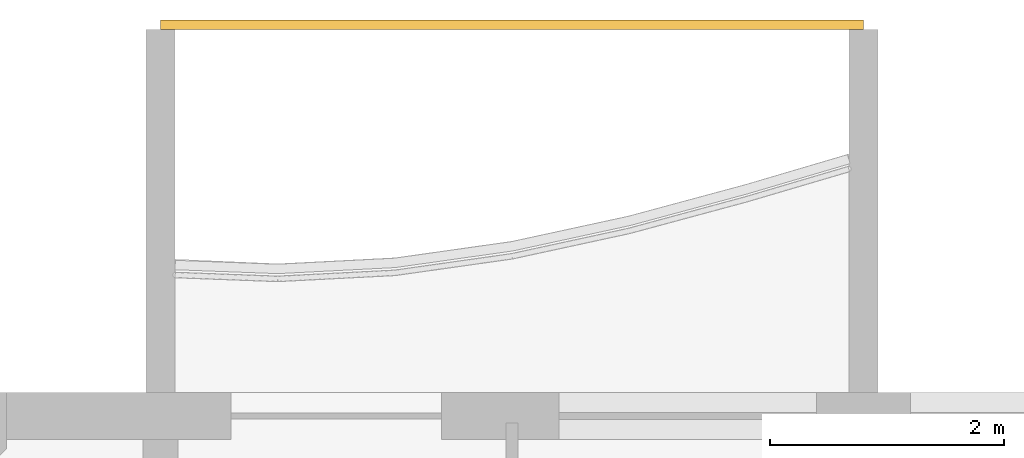
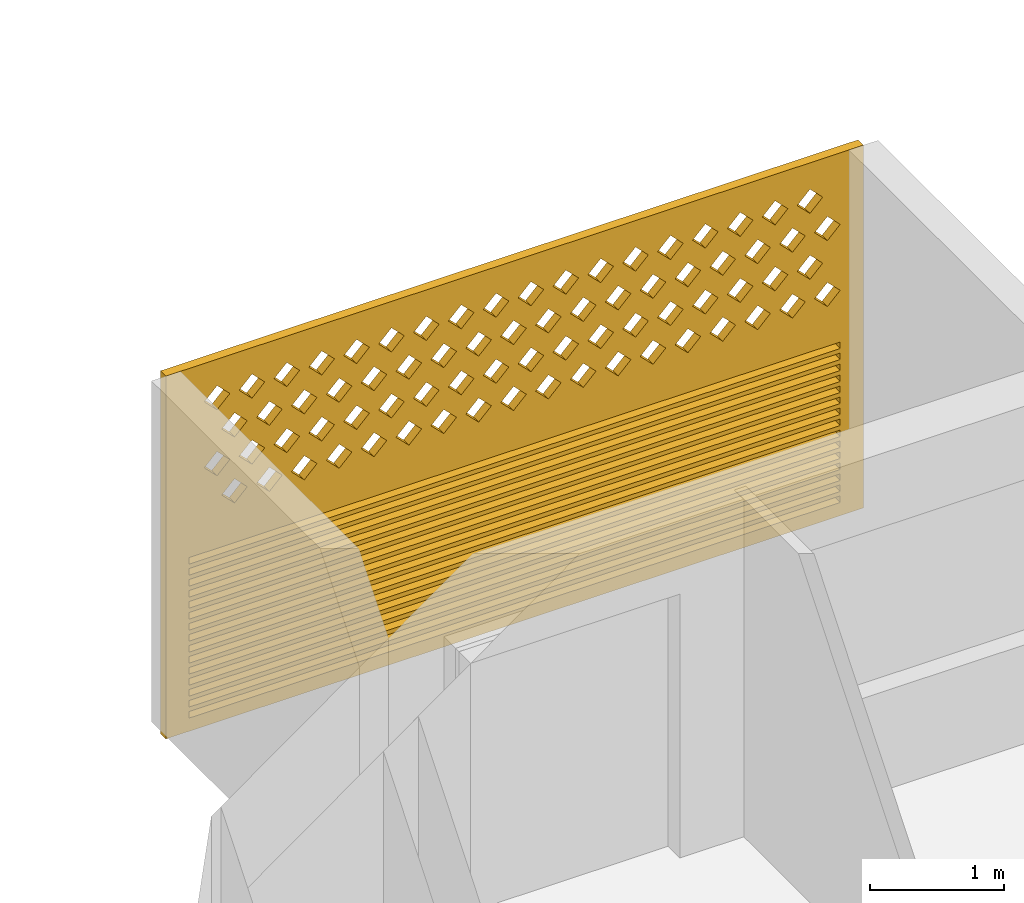
# One storey, part 19 of 33: 1 covering.
"""IFC4 building model written with IfcOpenShell, lengths in metres."""

from ifc_helpers import new_model, si_unit, direction, frame, origin, place, context, subcontext, project, spatial, polyline, outline, extrude, source, transform, mapped, material, material_profile, profile_set, type_object, element, save


model = new_model("IFC4")

# Units and contexts
model_context = context("Model", 3, precision=1e-05, world=origin(), true_north=direction((0.0, 1.0)))
body_context = subcontext(model_context, "Body", "Model", "MODEL_VIEW")
ifc_project = project(units=[si_unit("LENGTHUNIT", "METRE"), si_unit("AREAUNIT", "SQUARE_METRE"), si_unit("VOLUMEUNIT", "CUBIC_METRE"), si_unit("PLANEANGLEUNIT", "RADIAN"), si_unit("MASSUNIT", "GRAM", prefix="KILO")], contexts=[model_context])

# Site, building, storey
site_placement = place(None, origin())
site = spatial("IfcSite", under=ifc_project, at=site_placement, CompositionType="ELEMENT")
building_placement = place(site_placement, origin())
building = spatial("IfcBuilding", under=site, at=building_placement, Name="Poui Terraces", CompositionType="ELEMENT")
storey_placement = place(building_placement, frame((0.0, 0.0, 135.60009765625)))
storey = spatial("IfcBuildingStorey", under=building, at=storey_placement, Name="L37", CompositionType="ELEMENT", Elevation=135.60009765625)

# Covering
ifc_material = material(Name="Terracotta screen", Category="masonry")
ifc_material_profile = material_profile(ifc_material, outline(polyline([(-3.0, -1.64990234375), (3.0, -1.64990234375), (3.0, 1.64990234375), (-3.0, 1.64990234375), (-3.0, -1.64990234375)]), holes=[polyline([(-2.800048828125, 0.39990234375), (-2.68994140625, 0.2900390625), (-2.580078125, 0.39990234375), (-2.68994140625, 0.510009765625), (-2.800048828125, 0.39990234375)]), polyline([(-2.5, 0.39990234375), (-2.389892578125, 0.2900390625), (-2.280029296875, 0.39990234375), (-2.389892578125, 0.510009765625), (-2.5, 0.39990234375)]), polyline([(-2.199951171875, 0.39990234375), (-2.090087890625, 0.2900390625), (-1.97998046875, 0.39990234375), (-2.090087890625, 0.510009765625), (-2.199951171875, 0.39990234375)]), polyline([(-1.89990234375, 0.39990234375), (-1.7900390625, 0.2900390625), (-1.679931640625, 0.39990234375), (-1.7900390625, 0.510009765625), (-1.89990234375, 0.39990234375)]), polyline([(-1.60009765625, 0.39990234375), (-1.489990234375, 0.2900390625), (-1.3798828125, 0.39990234375), (-1.489990234375, 0.510009765625), (-1.60009765625, 0.39990234375)]), polyline([(-1.300048828125, 0.39990234375), (-1.18994140625, 0.2900390625), (-1.080078125, 0.39990234375), (-1.18994140625, 0.510009765625), (-1.300048828125, 0.39990234375)]), polyline([(-1.0, 0.39990234375), (-0.889892578125, 0.2900390625), (-0.780029296875, 0.39990234375), (-0.889892578125, 0.510009765625), (-1.0, 0.39990234375)]), polyline([(-0.699951171875, 0.39990234375), (-0.590087890625, 0.2900390625), (-0.47998046875, 0.39990234375), (-0.590087890625, 0.510009765625), (-0.699951171875, 0.39990234375)]), polyline([(-0.39990234375, 0.39990234375), (-0.2900390625, 0.2900390625), (-0.179931640625, 0.39990234375), (-0.2900390625, 0.510009765625), (-0.39990234375, 0.39990234375)]), polyline([(-0.10009765625, 0.39990234375), (0.010009765625, 0.2900390625), (0.1201171875, 0.39990234375), (0.010009765625, 0.510009765625), (-0.10009765625, 0.39990234375)]), polyline([(0.199951171875, 0.39990234375), (0.31005859375, 0.2900390625), (0.419921875, 0.39990234375), (0.31005859375, 0.510009765625), (0.199951171875, 0.39990234375)]), polyline([(0.5, 0.39990234375), (0.610107421875, 0.2900390625), (0.719970703125, 0.39990234375), (0.610107421875, 0.510009765625), (0.5, 0.39990234375)]), polyline([(0.800048828125, 0.39990234375), (0.909912109375, 0.2900390625), (1.02001953125, 0.39990234375), (0.909912109375, 0.510009765625), (0.800048828125, 0.39990234375)]), polyline([(1.10009765625, 0.39990234375), (1.2099609375, 0.2900390625), (1.320068359375, 0.39990234375), (1.2099609375, 0.510009765625), (1.10009765625, 0.39990234375)]), polyline([(1.39990234375, 0.39990234375), (1.510009765625, 0.2900390625), (1.6201171875, 0.39990234375), (1.510009765625, 0.510009765625), (1.39990234375, 0.39990234375)]), polyline([(1.699951171875, 0.39990234375), (1.81005859375, 0.2900390625), (1.919921875, 0.39990234375), (1.81005859375, 0.510009765625), (1.699951171875, 0.39990234375)]), polyline([(2.0, 0.39990234375), (2.110107421875, 0.2900390625), (2.219970703125, 0.39990234375), (2.110107421875, 0.510009765625), (2.0, 0.39990234375)]), polyline([(2.300048828125, 0.39990234375), (2.409912109375, 0.2900390625), (2.52001953125, 0.39990234375), (2.409912109375, 0.510009765625), (2.300048828125, 0.39990234375)]), polyline([(-2.64990234375, 0.699951171875), (-2.5400390625, 0.590087890625), (-2.429931640625, 0.699951171875), (-2.5400390625, 0.81005859375), (-2.64990234375, 0.699951171875)]), polyline([(-2.35009765625, 0.699951171875), (-2.239990234375, 0.590087890625), (-2.1298828125, 0.699951171875), (-2.239990234375, 0.81005859375), (-2.35009765625, 0.699951171875)]), polyline([(-2.050048828125, 0.699951171875), (-1.93994140625, 0.590087890625), (-1.830078125, 0.699951171875), (-1.93994140625, 0.81005859375), (-2.050048828125, 0.699951171875)]), polyline([(-1.75, 0.699951171875), (-1.639892578125, 0.590087890625), (-1.530029296875, 0.699951171875), (-1.639892578125, 0.81005859375), (-1.75, 0.699951171875)]), polyline([(-1.449951171875, 0.699951171875), (-1.340087890625, 0.590087890625), (-1.22998046875, 0.699951171875), (-1.340087890625, 0.81005859375), (-1.449951171875, 0.699951171875)]), polyline([(-1.14990234375, 0.699951171875), (-1.0400390625, 0.590087890625), (-0.929931640625, 0.699951171875), (-1.0400390625, 0.81005859375), (-1.14990234375, 0.699951171875)]), polyline([(-0.85009765625, 0.699951171875), (-0.739990234375, 0.590087890625), (-0.6298828125, 0.699951171875), (-0.739990234375, 0.81005859375), (-0.85009765625, 0.699951171875)]), polyline([(-0.550048828125, 0.699951171875), (-0.43994140625, 0.590087890625), (-0.330078125, 0.699951171875), (-0.43994140625, 0.81005859375), (-0.550048828125, 0.699951171875)]), polyline([(-0.25, 0.699951171875), (-0.139892578125, 0.590087890625), (-0.030029296875, 0.699951171875), (-0.139892578125, 0.81005859375), (-0.25, 0.699951171875)]), polyline([(0.050048828125, 0.699951171875), (0.159912109375, 0.590087890625), (0.27001953125, 0.699951171875), (0.159912109375, 0.81005859375), (0.050048828125, 0.699951171875)]), polyline([(0.35009765625, 0.699951171875), (0.4599609375, 0.590087890625), (0.570068359375, 0.699951171875), (0.4599609375, 0.81005859375), (0.35009765625, 0.699951171875)]), polyline([(0.64990234375, 0.699951171875), (0.760009765625, 0.590087890625), (0.8701171875, 0.699951171875), (0.760009765625, 0.81005859375), (0.64990234375, 0.699951171875)]), polyline([(0.949951171875, 0.699951171875), (1.06005859375, 0.590087890625), (1.169921875, 0.699951171875), (1.06005859375, 0.81005859375), (0.949951171875, 0.699951171875)]), polyline([(1.25, 0.699951171875), (1.360107421875, 0.590087890625), (1.469970703125, 0.699951171875), (1.360107421875, 0.81005859375), (1.25, 0.699951171875)]), polyline([(1.550048828125, 0.699951171875), (1.659912109375, 0.590087890625), (1.77001953125, 0.699951171875), (1.659912109375, 0.81005859375), (1.550048828125, 0.699951171875)]), polyline([(1.85009765625, 0.699951171875), (1.9599609375, 0.590087890625), (2.070068359375, 0.699951171875), (1.9599609375, 0.81005859375), (1.85009765625, 0.699951171875)]), polyline([(2.14990234375, 0.699951171875), (2.260009765625, 0.590087890625), (2.3701171875, 0.699951171875), (2.260009765625, 0.81005859375), (2.14990234375, 0.699951171875)]), polyline([(2.449951171875, 0.699951171875), (2.56005859375, 0.590087890625), (2.669921875, 0.699951171875), (2.56005859375, 0.81005859375), (2.449951171875, 0.699951171875)]), polyline([(-2.800048828125, 1.0), (-2.68994140625, 0.889892578125), (-2.580078125, 1.0), (-2.68994140625, 1.110107421875), (-2.800048828125, 1.0)]), polyline([(-2.5, 1.0), (-2.389892578125, 0.889892578125), (-2.280029296875, 1.0), (-2.389892578125, 1.110107421875), (-2.5, 1.0)]), polyline([(-2.199951171875, 1.0), (-2.090087890625, 0.889892578125), (-1.97998046875, 1.0), (-2.090087890625, 1.110107421875), (-2.199951171875, 1.0)]), polyline([(-1.89990234375, 1.0), (-1.7900390625, 0.889892578125), (-1.679931640625, 1.0), (-1.7900390625, 1.110107421875), (-1.89990234375, 1.0)]), polyline([(-1.60009765625, 1.0), (-1.489990234375, 0.889892578125), (-1.3798828125, 1.0), (-1.489990234375, 1.110107421875), (-1.60009765625, 1.0)]), polyline([(-1.300048828125, 1.0), (-1.18994140625, 0.889892578125), (-1.080078125, 1.0), (-1.18994140625, 1.110107421875), (-1.300048828125, 1.0)]), polyline([(-1.0, 1.0), (-0.889892578125, 0.889892578125), (-0.780029296875, 1.0), (-0.889892578125, 1.110107421875), (-1.0, 1.0)]), polyline([(-0.699951171875, 1.0), (-0.590087890625, 0.889892578125), (-0.47998046875, 1.0), (-0.590087890625, 1.110107421875), (-0.699951171875, 1.0)]), polyline([(-0.39990234375, 1.0), (-0.2900390625, 0.889892578125), (-0.179931640625, 1.0), (-0.2900390625, 1.110107421875), (-0.39990234375, 1.0)]), polyline([(-0.10009765625, 1.0), (0.010009765625, 0.889892578125), (0.1201171875, 1.0), (0.010009765625, 1.110107421875), (-0.10009765625, 1.0)]), polyline([(0.199951171875, 1.0), (0.31005859375, 0.889892578125), (0.419921875, 1.0), (0.31005859375, 1.110107421875), (0.199951171875, 1.0)]), polyline([(0.5, 1.0), (0.610107421875, 0.889892578125), (0.719970703125, 1.0), (0.610107421875, 1.110107421875), (0.5, 1.0)]), polyline([(0.800048828125, 1.0), (0.909912109375, 0.889892578125), (1.02001953125, 1.0), (0.909912109375, 1.110107421875), (0.800048828125, 1.0)]), polyline([(1.10009765625, 1.0), (1.2099609375, 0.889892578125), (1.320068359375, 1.0), (1.2099609375, 1.110107421875), (1.10009765625, 1.0)]), polyline([(1.39990234375, 1.0), (1.510009765625, 0.889892578125), (1.6201171875, 1.0), (1.510009765625, 1.110107421875), (1.39990234375, 1.0)]), polyline([(1.699951171875, 1.0), (1.81005859375, 0.889892578125), (1.919921875, 1.0), (1.81005859375, 1.110107421875), (1.699951171875, 1.0)]), polyline([(2.0, 1.0), (2.110107421875, 0.889892578125), (2.219970703125, 1.0), (2.110107421875, 1.110107421875), (2.0, 1.0)]), polyline([(2.300048828125, 1.0), (2.409912109375, 0.889892578125), (2.52001953125, 1.0), (2.409912109375, 1.110107421875), (2.300048828125, 1.0)]), polyline([(-2.64990234375, 1.300048828125), (-2.5400390625, 1.18994140625), (-2.429931640625, 1.300048828125), (-2.5400390625, 1.409912109375), (-2.64990234375, 1.300048828125)]), polyline([(-2.35009765625, 1.300048828125), (-2.239990234375, 1.18994140625), (-2.1298828125, 1.300048828125), (-2.239990234375, 1.409912109375), (-2.35009765625, 1.300048828125)]), polyline([(-2.050048828125, 1.300048828125), (-1.93994140625, 1.18994140625), (-1.830078125, 1.300048828125), (-1.93994140625, 1.409912109375), (-2.050048828125, 1.300048828125)]), polyline([(-1.75, 1.300048828125), (-1.639892578125, 1.18994140625), (-1.530029296875, 1.300048828125), (-1.639892578125, 1.409912109375), (-1.75, 1.300048828125)]), polyline([(-1.449951171875, 1.300048828125), (-1.340087890625, 1.18994140625), (-1.22998046875, 1.300048828125), (-1.340087890625, 1.409912109375), (-1.449951171875, 1.300048828125)]), polyline([(-1.14990234375, 1.300048828125), (-1.0400390625, 1.18994140625), (-0.929931640625, 1.300048828125), (-1.0400390625, 1.409912109375), (-1.14990234375, 1.300048828125)]), polyline([(-0.85009765625, 1.300048828125), (-0.739990234375, 1.18994140625), (-0.6298828125, 1.300048828125), (-0.739990234375, 1.409912109375), (-0.85009765625, 1.300048828125)]), polyline([(-0.550048828125, 1.300048828125), (-0.43994140625, 1.18994140625), (-0.330078125, 1.300048828125), (-0.43994140625, 1.409912109375), (-0.550048828125, 1.300048828125)]), polyline([(-0.25, 1.300048828125), (-0.139892578125, 1.18994140625), (-0.030029296875, 1.300048828125), (-0.139892578125, 1.409912109375), (-0.25, 1.300048828125)]), polyline([(0.050048828125, 1.300048828125), (0.159912109375, 1.18994140625), (0.27001953125, 1.300048828125), (0.159912109375, 1.409912109375), (0.050048828125, 1.300048828125)]), polyline([(0.35009765625, 1.300048828125), (0.4599609375, 1.18994140625), (0.570068359375, 1.300048828125), (0.4599609375, 1.409912109375), (0.35009765625, 1.300048828125)]), polyline([(0.64990234375, 1.300048828125), (0.760009765625, 1.18994140625), (0.8701171875, 1.300048828125), (0.760009765625, 1.409912109375), (0.64990234375, 1.300048828125)]), polyline([(0.949951171875, 1.300048828125), (1.06005859375, 1.18994140625), (1.169921875, 1.300048828125), (1.06005859375, 1.409912109375), (0.949951171875, 1.300048828125)]), polyline([(1.25, 1.300048828125), (1.360107421875, 1.18994140625), (1.469970703125, 1.300048828125), (1.360107421875, 1.409912109375), (1.25, 1.300048828125)]), polyline([(1.550048828125, 1.300048828125), (1.659912109375, 1.18994140625), (1.77001953125, 1.300048828125), (1.659912109375, 1.409912109375), (1.550048828125, 1.300048828125)]), polyline([(1.85009765625, 1.300048828125), (1.9599609375, 1.18994140625), (2.070068359375, 1.300048828125), (1.9599609375, 1.409912109375), (1.85009765625, 1.300048828125)]), polyline([(2.14990234375, 1.300048828125), (2.260009765625, 1.18994140625), (2.3701171875, 1.300048828125), (2.260009765625, 1.409912109375), (2.14990234375, 1.300048828125)]), polyline([(2.449951171875, 1.300048828125), (2.56005859375, 1.18994140625), (2.669921875, 1.300048828125), (2.56005859375, 1.409912109375), (2.449951171875, 1.300048828125)]), polyline([(-2.800048828125, -1.530029296875), (2.800048828125, -1.530029296875), (2.800048828125, -1.469970703125), (-2.800048828125, -1.469970703125), (-2.800048828125, -1.530029296875)]), polyline([(-2.800048828125, -1.429931640625), (2.800048828125, -1.429931640625), (2.800048828125, -1.3701171875), (-2.800048828125, -1.3701171875), (-2.800048828125, -1.429931640625)]), polyline([(-2.800048828125, -1.330078125), (2.800048828125, -1.330078125), (2.800048828125, -1.27001953125), (-2.800048828125, -1.27001953125), (-2.800048828125, -1.330078125)]), polyline([(-2.800048828125, -1.22998046875), (2.800048828125, -1.22998046875), (2.800048828125, -1.169921875), (-2.800048828125, -1.169921875), (-2.800048828125, -1.22998046875)]), polyline([(-2.800048828125, -1.1298828125), (2.800048828125, -1.1298828125), (2.800048828125, -1.070068359375), (-2.800048828125, -1.070068359375), (-2.800048828125, -1.1298828125)]), polyline([(-2.800048828125, -1.030029296875), (2.800048828125, -1.030029296875), (2.800048828125, -0.969970703125), (-2.800048828125, -0.969970703125), (-2.800048828125, -1.030029296875)]), polyline([(-2.800048828125, -0.929931640625), (2.800048828125, -0.929931640625), (2.800048828125, -0.8701171875), (-2.800048828125, -0.8701171875), (-2.800048828125, -0.929931640625)]), polyline([(-2.800048828125, -0.830078125), (2.800048828125, -0.830078125), (2.800048828125, -0.77001953125), (-2.800048828125, -0.77001953125), (-2.800048828125, -0.830078125)]), polyline([(-2.800048828125, -0.72998046875), (2.800048828125, -0.72998046875), (2.800048828125, -0.669921875), (-2.800048828125, -0.669921875), (-2.800048828125, -0.72998046875)]), polyline([(-2.800048828125, -0.6298828125), (2.800048828125, -0.6298828125), (2.800048828125, -0.570068359375), (-2.800048828125, -0.570068359375), (-2.800048828125, -0.6298828125)]), polyline([(-2.800048828125, -0.530029296875), (2.800048828125, -0.530029296875), (2.800048828125, -0.469970703125), (-2.800048828125, -0.469970703125), (-2.800048828125, -0.530029296875)]), polyline([(-2.800048828125, -0.429931640625), (2.800048828125, -0.429931640625), (2.800048828125, -0.3701171875), (-2.800048828125, -0.3701171875), (-2.800048828125, -0.429931640625)]), polyline([(-2.800048828125, -0.330078125), (2.800048828125, -0.330078125), (2.800048828125, -0.27001953125), (-2.800048828125, -0.27001953125), (-2.800048828125, -0.330078125)]), polyline([(-2.800048828125, -0.22998046875), (2.800048828125, -0.22998046875), (2.800048828125, -0.169921875), (-2.800048828125, -0.169921875), (-2.800048828125, -0.22998046875)]), polyline([(-2.800048828125, -0.1298828125), (2.800048828125, -0.1298828125), (2.800048828125, -0.070068359375), (-2.800048828125, -0.070068359375), (-2.800048828125, -0.1298828125)])]), Name="TERRACOTTA SCREEN AND JALOUSIE LOUVRE 6000X3300")
ifc_profile_set = profile_set([ifc_material_profile], Name="Terracotta screen")
covering_type = type_object("IfcCoveringType", Name="TERRACOTTA SCREEN AND JALOUSIE LOUVRE 6000X3300", PredefinedType="CLADDING", material=ifc_profile_set)
shared_shape = source(origin(), body_context, "Body", "SweptSolid", [
    extrude(outline(polyline([(-3.0, -1.64990234375), (3.0, -1.64990234375), (3.0, 1.64990234375), (-3.0, 1.64990234375), (-3.0, -1.64990234375)]), holes=[polyline([(-2.800048828125, 0.39990234375), (-2.68994140625, 0.2900390625), (-2.580078125, 0.39990234375), (-2.68994140625, 0.510009765625), (-2.800048828125, 0.39990234375)]), polyline([(-2.5, 0.39990234375), (-2.389892578125, 0.2900390625), (-2.280029296875, 0.39990234375), (-2.389892578125, 0.510009765625), (-2.5, 0.39990234375)]), polyline([(-2.199951171875, 0.39990234375), (-2.090087890625, 0.2900390625), (-1.97998046875, 0.39990234375), (-2.090087890625, 0.510009765625), (-2.199951171875, 0.39990234375)]), polyline([(-1.89990234375, 0.39990234375), (-1.7900390625, 0.2900390625), (-1.679931640625, 0.39990234375), (-1.7900390625, 0.510009765625), (-1.89990234375, 0.39990234375)]), polyline([(-1.60009765625, 0.39990234375), (-1.489990234375, 0.2900390625), (-1.3798828125, 0.39990234375), (-1.489990234375, 0.510009765625), (-1.60009765625, 0.39990234375)]), polyline([(-1.300048828125, 0.39990234375), (-1.18994140625, 0.2900390625), (-1.080078125, 0.39990234375), (-1.18994140625, 0.510009765625), (-1.300048828125, 0.39990234375)]), polyline([(-1.0, 0.39990234375), (-0.889892578125, 0.2900390625), (-0.780029296875, 0.39990234375), (-0.889892578125, 0.510009765625), (-1.0, 0.39990234375)]), polyline([(-0.699951171875, 0.39990234375), (-0.590087890625, 0.2900390625), (-0.47998046875, 0.39990234375), (-0.590087890625, 0.510009765625), (-0.699951171875, 0.39990234375)]), polyline([(-0.39990234375, 0.39990234375), (-0.2900390625, 0.2900390625), (-0.179931640625, 0.39990234375), (-0.2900390625, 0.510009765625), (-0.39990234375, 0.39990234375)]), polyline([(-0.10009765625, 0.39990234375), (0.010009765625, 0.2900390625), (0.1201171875, 0.39990234375), (0.010009765625, 0.510009765625), (-0.10009765625, 0.39990234375)]), polyline([(0.199951171875, 0.39990234375), (0.31005859375, 0.2900390625), (0.419921875, 0.39990234375), (0.31005859375, 0.510009765625), (0.199951171875, 0.39990234375)]), polyline([(0.5, 0.39990234375), (0.610107421875, 0.2900390625), (0.719970703125, 0.39990234375), (0.610107421875, 0.510009765625), (0.5, 0.39990234375)]), polyline([(0.800048828125, 0.39990234375), (0.909912109375, 0.2900390625), (1.02001953125, 0.39990234375), (0.909912109375, 0.510009765625), (0.800048828125, 0.39990234375)]), polyline([(1.10009765625, 0.39990234375), (1.2099609375, 0.2900390625), (1.320068359375, 0.39990234375), (1.2099609375, 0.510009765625), (1.10009765625, 0.39990234375)]), polyline([(1.39990234375, 0.39990234375), (1.510009765625, 0.2900390625), (1.6201171875, 0.39990234375), (1.510009765625, 0.510009765625), (1.39990234375, 0.39990234375)]), polyline([(1.699951171875, 0.39990234375), (1.81005859375, 0.2900390625), (1.919921875, 0.39990234375), (1.81005859375, 0.510009765625), (1.699951171875, 0.39990234375)]), polyline([(2.0, 0.39990234375), (2.110107421875, 0.2900390625), (2.219970703125, 0.39990234375), (2.110107421875, 0.510009765625), (2.0, 0.39990234375)]), polyline([(2.300048828125, 0.39990234375), (2.409912109375, 0.2900390625), (2.52001953125, 0.39990234375), (2.409912109375, 0.510009765625), (2.300048828125, 0.39990234375)]), polyline([(-2.64990234375, 0.699951171875), (-2.5400390625, 0.590087890625), (-2.429931640625, 0.699951171875), (-2.5400390625, 0.81005859375), (-2.64990234375, 0.699951171875)]), polyline([(-2.35009765625, 0.699951171875), (-2.239990234375, 0.590087890625), (-2.1298828125, 0.699951171875), (-2.239990234375, 0.81005859375), (-2.35009765625, 0.699951171875)]), polyline([(-2.050048828125, 0.699951171875), (-1.93994140625, 0.590087890625), (-1.830078125, 0.699951171875), (-1.93994140625, 0.81005859375), (-2.050048828125, 0.699951171875)]), polyline([(-1.75, 0.699951171875), (-1.639892578125, 0.590087890625), (-1.530029296875, 0.699951171875), (-1.639892578125, 0.81005859375), (-1.75, 0.699951171875)]), polyline([(-1.449951171875, 0.699951171875), (-1.340087890625, 0.590087890625), (-1.22998046875, 0.699951171875), (-1.340087890625, 0.81005859375), (-1.449951171875, 0.699951171875)]), polyline([(-1.14990234375, 0.699951171875), (-1.0400390625, 0.590087890625), (-0.929931640625, 0.699951171875), (-1.0400390625, 0.81005859375), (-1.14990234375, 0.699951171875)]), polyline([(-0.85009765625, 0.699951171875), (-0.739990234375, 0.590087890625), (-0.6298828125, 0.699951171875), (-0.739990234375, 0.81005859375), (-0.85009765625, 0.699951171875)]), polyline([(-0.550048828125, 0.699951171875), (-0.43994140625, 0.590087890625), (-0.330078125, 0.699951171875), (-0.43994140625, 0.81005859375), (-0.550048828125, 0.699951171875)]), polyline([(-0.25, 0.699951171875), (-0.139892578125, 0.590087890625), (-0.030029296875, 0.699951171875), (-0.139892578125, 0.81005859375), (-0.25, 0.699951171875)]), polyline([(0.050048828125, 0.699951171875), (0.159912109375, 0.590087890625), (0.27001953125, 0.699951171875), (0.159912109375, 0.81005859375), (0.050048828125, 0.699951171875)]), polyline([(0.35009765625, 0.699951171875), (0.4599609375, 0.590087890625), (0.570068359375, 0.699951171875), (0.4599609375, 0.81005859375), (0.35009765625, 0.699951171875)]), polyline([(0.64990234375, 0.699951171875), (0.760009765625, 0.590087890625), (0.8701171875, 0.699951171875), (0.760009765625, 0.81005859375), (0.64990234375, 0.699951171875)]), polyline([(0.949951171875, 0.699951171875), (1.06005859375, 0.590087890625), (1.169921875, 0.699951171875), (1.06005859375, 0.81005859375), (0.949951171875, 0.699951171875)]), polyline([(1.25, 0.699951171875), (1.360107421875, 0.590087890625), (1.469970703125, 0.699951171875), (1.360107421875, 0.81005859375), (1.25, 0.699951171875)]), polyline([(1.550048828125, 0.699951171875), (1.659912109375, 0.590087890625), (1.77001953125, 0.699951171875), (1.659912109375, 0.81005859375), (1.550048828125, 0.699951171875)]), polyline([(1.85009765625, 0.699951171875), (1.9599609375, 0.590087890625), (2.070068359375, 0.699951171875), (1.9599609375, 0.81005859375), (1.85009765625, 0.699951171875)]), polyline([(2.14990234375, 0.699951171875), (2.260009765625, 0.590087890625), (2.3701171875, 0.699951171875), (2.260009765625, 0.81005859375), (2.14990234375, 0.699951171875)]), polyline([(2.449951171875, 0.699951171875), (2.56005859375, 0.590087890625), (2.669921875, 0.699951171875), (2.56005859375, 0.81005859375), (2.449951171875, 0.699951171875)]), polyline([(-2.800048828125, 1.0), (-2.68994140625, 0.889892578125), (-2.580078125, 1.0), (-2.68994140625, 1.110107421875), (-2.800048828125, 1.0)]), polyline([(-2.5, 1.0), (-2.389892578125, 0.889892578125), (-2.280029296875, 1.0), (-2.389892578125, 1.110107421875), (-2.5, 1.0)]), polyline([(-2.199951171875, 1.0), (-2.090087890625, 0.889892578125), (-1.97998046875, 1.0), (-2.090087890625, 1.110107421875), (-2.199951171875, 1.0)]), polyline([(-1.89990234375, 1.0), (-1.7900390625, 0.889892578125), (-1.679931640625, 1.0), (-1.7900390625, 1.110107421875), (-1.89990234375, 1.0)]), polyline([(-1.60009765625, 1.0), (-1.489990234375, 0.889892578125), (-1.3798828125, 1.0), (-1.489990234375, 1.110107421875), (-1.60009765625, 1.0)]), polyline([(-1.300048828125, 1.0), (-1.18994140625, 0.889892578125), (-1.080078125, 1.0), (-1.18994140625, 1.110107421875), (-1.300048828125, 1.0)]), polyline([(-1.0, 1.0), (-0.889892578125, 0.889892578125), (-0.780029296875, 1.0), (-0.889892578125, 1.110107421875), (-1.0, 1.0)]), polyline([(-0.699951171875, 1.0), (-0.590087890625, 0.889892578125), (-0.47998046875, 1.0), (-0.590087890625, 1.110107421875), (-0.699951171875, 1.0)]), polyline([(-0.39990234375, 1.0), (-0.2900390625, 0.889892578125), (-0.179931640625, 1.0), (-0.2900390625, 1.110107421875), (-0.39990234375, 1.0)]), polyline([(-0.10009765625, 1.0), (0.010009765625, 0.889892578125), (0.1201171875, 1.0), (0.010009765625, 1.110107421875), (-0.10009765625, 1.0)]), polyline([(0.199951171875, 1.0), (0.31005859375, 0.889892578125), (0.419921875, 1.0), (0.31005859375, 1.110107421875), (0.199951171875, 1.0)]), polyline([(0.5, 1.0), (0.610107421875, 0.889892578125), (0.719970703125, 1.0), (0.610107421875, 1.110107421875), (0.5, 1.0)]), polyline([(0.800048828125, 1.0), (0.909912109375, 0.889892578125), (1.02001953125, 1.0), (0.909912109375, 1.110107421875), (0.800048828125, 1.0)]), polyline([(1.10009765625, 1.0), (1.2099609375, 0.889892578125), (1.320068359375, 1.0), (1.2099609375, 1.110107421875), (1.10009765625, 1.0)]), polyline([(1.39990234375, 1.0), (1.510009765625, 0.889892578125), (1.6201171875, 1.0), (1.510009765625, 1.110107421875), (1.39990234375, 1.0)]), polyline([(1.699951171875, 1.0), (1.81005859375, 0.889892578125), (1.919921875, 1.0), (1.81005859375, 1.110107421875), (1.699951171875, 1.0)]), polyline([(2.0, 1.0), (2.110107421875, 0.889892578125), (2.219970703125, 1.0), (2.110107421875, 1.110107421875), (2.0, 1.0)]), polyline([(2.300048828125, 1.0), (2.409912109375, 0.889892578125), (2.52001953125, 1.0), (2.409912109375, 1.110107421875), (2.300048828125, 1.0)]), polyline([(-2.64990234375, 1.300048828125), (-2.5400390625, 1.18994140625), (-2.429931640625, 1.300048828125), (-2.5400390625, 1.409912109375), (-2.64990234375, 1.300048828125)]), polyline([(-2.35009765625, 1.300048828125), (-2.239990234375, 1.18994140625), (-2.1298828125, 1.300048828125), (-2.239990234375, 1.409912109375), (-2.35009765625, 1.300048828125)]), polyline([(-2.050048828125, 1.300048828125), (-1.93994140625, 1.18994140625), (-1.830078125, 1.300048828125), (-1.93994140625, 1.409912109375), (-2.050048828125, 1.300048828125)]), polyline([(-1.75, 1.300048828125), (-1.639892578125, 1.18994140625), (-1.530029296875, 1.300048828125), (-1.639892578125, 1.409912109375), (-1.75, 1.300048828125)]), polyline([(-1.449951171875, 1.300048828125), (-1.340087890625, 1.18994140625), (-1.22998046875, 1.300048828125), (-1.340087890625, 1.409912109375), (-1.449951171875, 1.300048828125)]), polyline([(-1.14990234375, 1.300048828125), (-1.0400390625, 1.18994140625), (-0.929931640625, 1.300048828125), (-1.0400390625, 1.409912109375), (-1.14990234375, 1.300048828125)]), polyline([(-0.85009765625, 1.300048828125), (-0.739990234375, 1.18994140625), (-0.6298828125, 1.300048828125), (-0.739990234375, 1.409912109375), (-0.85009765625, 1.300048828125)]), polyline([(-0.550048828125, 1.300048828125), (-0.43994140625, 1.18994140625), (-0.330078125, 1.300048828125), (-0.43994140625, 1.409912109375), (-0.550048828125, 1.300048828125)]), polyline([(-0.25, 1.300048828125), (-0.139892578125, 1.18994140625), (-0.030029296875, 1.300048828125), (-0.139892578125, 1.409912109375), (-0.25, 1.300048828125)]), polyline([(0.050048828125, 1.300048828125), (0.159912109375, 1.18994140625), (0.27001953125, 1.300048828125), (0.159912109375, 1.409912109375), (0.050048828125, 1.300048828125)]), polyline([(0.35009765625, 1.300048828125), (0.4599609375, 1.18994140625), (0.570068359375, 1.300048828125), (0.4599609375, 1.409912109375), (0.35009765625, 1.300048828125)]), polyline([(0.64990234375, 1.300048828125), (0.760009765625, 1.18994140625), (0.8701171875, 1.300048828125), (0.760009765625, 1.409912109375), (0.64990234375, 1.300048828125)]), polyline([(0.949951171875, 1.300048828125), (1.06005859375, 1.18994140625), (1.169921875, 1.300048828125), (1.06005859375, 1.409912109375), (0.949951171875, 1.300048828125)]), polyline([(1.25, 1.300048828125), (1.360107421875, 1.18994140625), (1.469970703125, 1.300048828125), (1.360107421875, 1.409912109375), (1.25, 1.300048828125)]), polyline([(1.550048828125, 1.300048828125), (1.659912109375, 1.18994140625), (1.77001953125, 1.300048828125), (1.659912109375, 1.409912109375), (1.550048828125, 1.300048828125)]), polyline([(1.85009765625, 1.300048828125), (1.9599609375, 1.18994140625), (2.070068359375, 1.300048828125), (1.9599609375, 1.409912109375), (1.85009765625, 1.300048828125)]), polyline([(2.14990234375, 1.300048828125), (2.260009765625, 1.18994140625), (2.3701171875, 1.300048828125), (2.260009765625, 1.409912109375), (2.14990234375, 1.300048828125)]), polyline([(2.449951171875, 1.300048828125), (2.56005859375, 1.18994140625), (2.669921875, 1.300048828125), (2.56005859375, 1.409912109375), (2.449951171875, 1.300048828125)]), polyline([(-2.800048828125, -1.530029296875), (2.800048828125, -1.530029296875), (2.800048828125, -1.469970703125), (-2.800048828125, -1.469970703125), (-2.800048828125, -1.530029296875)]), polyline([(-2.800048828125, -1.429931640625), (2.800048828125, -1.429931640625), (2.800048828125, -1.3701171875), (-2.800048828125, -1.3701171875), (-2.800048828125, -1.429931640625)]), polyline([(-2.800048828125, -1.330078125), (2.800048828125, -1.330078125), (2.800048828125, -1.27001953125), (-2.800048828125, -1.27001953125), (-2.800048828125, -1.330078125)]), polyline([(-2.800048828125, -1.22998046875), (2.800048828125, -1.22998046875), (2.800048828125, -1.169921875), (-2.800048828125, -1.169921875), (-2.800048828125, -1.22998046875)]), polyline([(-2.800048828125, -1.1298828125), (2.800048828125, -1.1298828125), (2.800048828125, -1.070068359375), (-2.800048828125, -1.070068359375), (-2.800048828125, -1.1298828125)]), polyline([(-2.800048828125, -1.030029296875), (2.800048828125, -1.030029296875), (2.800048828125, -0.969970703125), (-2.800048828125, -0.969970703125), (-2.800048828125, -1.030029296875)]), polyline([(-2.800048828125, -0.929931640625), (2.800048828125, -0.929931640625), (2.800048828125, -0.8701171875), (-2.800048828125, -0.8701171875), (-2.800048828125, -0.929931640625)]), polyline([(-2.800048828125, -0.830078125), (2.800048828125, -0.830078125), (2.800048828125, -0.77001953125), (-2.800048828125, -0.77001953125), (-2.800048828125, -0.830078125)]), polyline([(-2.800048828125, -0.72998046875), (2.800048828125, -0.72998046875), (2.800048828125, -0.669921875), (-2.800048828125, -0.669921875), (-2.800048828125, -0.72998046875)]), polyline([(-2.800048828125, -0.6298828125), (2.800048828125, -0.6298828125), (2.800048828125, -0.570068359375), (-2.800048828125, -0.570068359375), (-2.800048828125, -0.6298828125)]), polyline([(-2.800048828125, -0.530029296875), (2.800048828125, -0.530029296875), (2.800048828125, -0.469970703125), (-2.800048828125, -0.469970703125), (-2.800048828125, -0.530029296875)]), polyline([(-2.800048828125, -0.429931640625), (2.800048828125, -0.429931640625), (2.800048828125, -0.3701171875), (-2.800048828125, -0.3701171875), (-2.800048828125, -0.429931640625)]), polyline([(-2.800048828125, -0.330078125), (2.800048828125, -0.330078125), (2.800048828125, -0.27001953125), (-2.800048828125, -0.27001953125), (-2.800048828125, -0.330078125)]), polyline([(-2.800048828125, -0.22998046875), (2.800048828125, -0.22998046875), (2.800048828125, -0.169921875), (-2.800048828125, -0.169921875), (-2.800048828125, -0.22998046875)]), polyline([(-2.800048828125, -0.1298828125), (2.800048828125, -0.1298828125), (2.800048828125, -0.070068359375), (-2.800048828125, -0.070068359375), (-2.800048828125, -0.1298828125)])]), origin(), (0.0, 0.0, 1.0), 0.080078125),
])
covering_placement = place(storey_placement, frame((21.0, 45.699951171875, 1.449951171875), z_axis=(0.0, 1.0, 0.0), x_axis=(-1.0, 0.0, 0.0)))
element("IfcCovering", 1, at=covering_placement, inside=storey, type_object=covering_type, Name="SOLAR SCREEN AND JALOUSIE LOUVRE", PredefinedType="CLADDING", context=body_context, shape_type="MappedRepresentation", body=[
    mapped(shared_shape, transform((0.0, 0.0, 0.0))),
])

save(model, "model.ifc")
